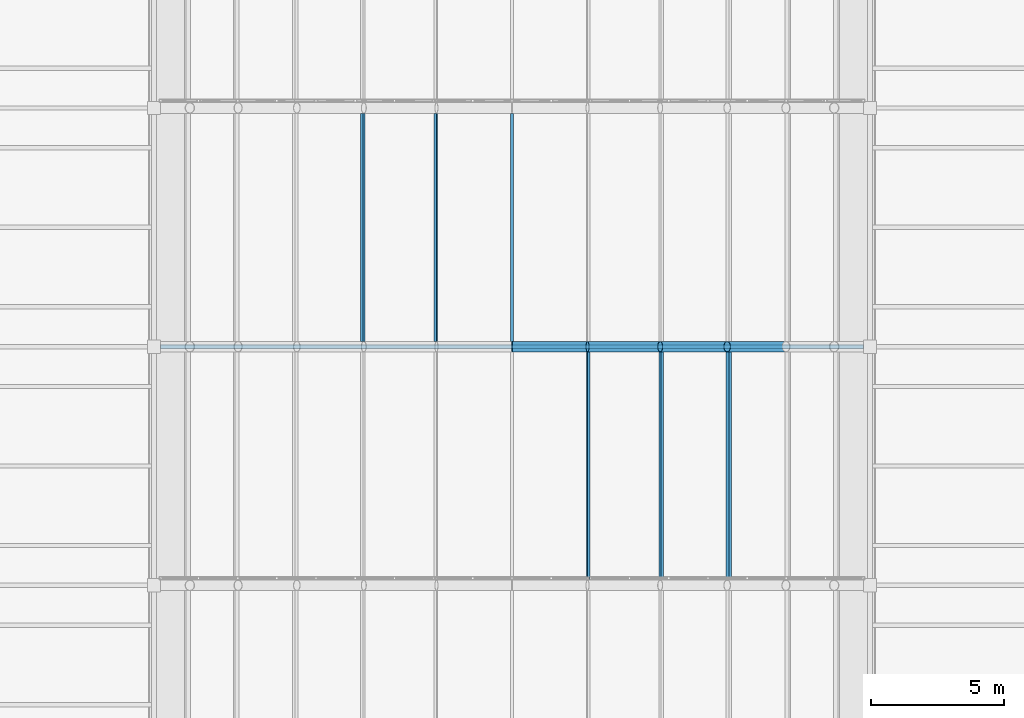
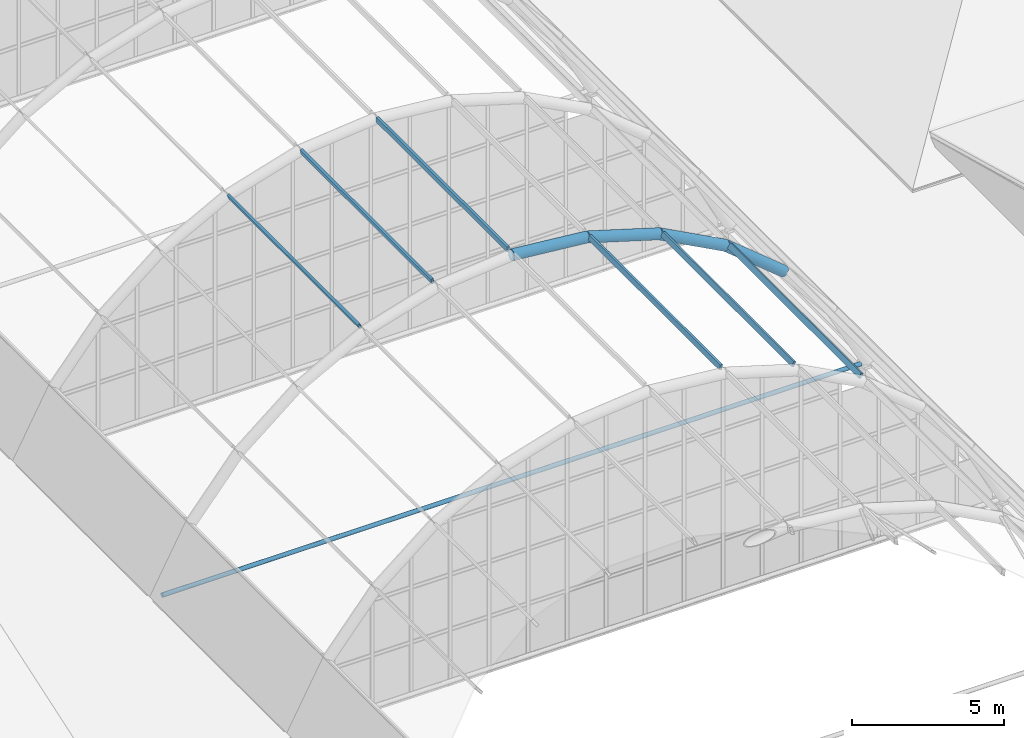
# One storey, part 34 of 121: 11 members.
"""IFC4 building model written with IfcOpenShell, lengths in metres."""

from ifc_helpers import new_model, si_unit, direction, frame, origin, origin_2d, place, context, subcontext, project, spatial, hollow_rectangle, hollow_circle, extrude, material, material_profile, profile_set, type_object, element, save


model = new_model("IFC4")

# Units and contexts
model_context = context("Model", 3, precision=1e-05, world=origin(), true_north=direction((0.0, 1.0)))
body_context = subcontext(model_context, "Body", "Model", "MODEL_VIEW")
ifc_project = project(units=[si_unit("LENGTHUNIT", "METRE"), si_unit("AREAUNIT", "SQUARE_METRE"), si_unit("VOLUMEUNIT", "CUBIC_METRE"), si_unit("PLANEANGLEUNIT", "RADIAN"), si_unit("MASSUNIT", "GRAM", prefix="KILO")], contexts=[model_context])

# Site, building, storey
site_placement = place(None, origin())
site = spatial("IfcSite", under=ifc_project, at=site_placement, CompositionType="ELEMENT")
building_placement = place(site_placement, origin())
building = spatial("IfcBuilding", under=site, at=building_placement, Name="Golden Quay Civic Hall", CompositionType="ELEMENT")
storey_placement = place(building_placement, frame((0.0, 0.0, 18.60009765625)))
storey = spatial("IfcBuildingStorey", under=building, at=storey_placement, Name="L04", CompositionType="ELEMENT", Elevation=18.60009765625)

# Members
ifc_material_1 = material(Name="Steel S355", Category="steel")
ifc_material_profile_1 = material_profile(ifc_material_1, hollow_circle(Radius=0.203125, WallThickness=0.01611328125, at=origin_2d()), Name="CHS 406.4x16")
ifc_profile_set_1 = profile_set([ifc_material_profile_1], Name="Steel S355")
member_type_1 = type_object("IfcMemberType", Name="Steel arch rib CHS 406.4x16", PredefinedType="USERDEFINED", material=ifc_profile_set_1)
member_1_placement = place(storey_placement, frame((85.5, 27.0, 9.099853515625), z_axis=(0.995201360973, 0.0, -0.097848102266), x_axis=(0.0, 1.0, 0.0)))
element("IfcMember", 1, at=member_1_placement, inside=storey, type_object=member_type_1, Name="Arch rib 4 segment 7", ObjectType="ARCH RIB", PredefinedType="USERDEFINED", context=body_context, shape_type="SweptSolid", body=[
    extrude(hollow_circle(Radius=0.203125, WallThickness=0.01611328125, at=origin_2d()), origin(), (0.0, 0.0, 1.0), 2.86181640625),
])
member_2_placement = place(storey_placement, frame((88.34814453125, 27.0, 8.81982421875), z_axis=(0.957095401463, 0.0, -0.289773001673), x_axis=(0.0, 1.0, 0.0)))
element("IfcMember", 2, at=member_2_placement, inside=storey, type_object=member_type_1, Name="Arch rib 4 segment 8", ObjectType="ARCH RIB", PredefinedType="USERDEFINED", context=body_context, shape_type="SweptSolid", body=[
    extrude(hollow_circle(Radius=0.203125, WallThickness=0.01611328125, at=origin_2d()), origin(), (0.0, 0.0, 1.0), 2.862060546875),
])
for number, where, z_axis, x_axis, name in (
    (3, (91.08740234375, 27.0, 7.990478515625), (0.882326964097, 0.0, -0.470636939082), (0.0, 1.0, 0.0), "Arch rib 4 segment 9"),
    (4, (93.612548828125, 27.0, 6.6435546875), (0.773786223221, 0.0, -0.633446825514), (0.0, 1.0, 0.0), "Arch rib 4 segment 10"),
):
    element("IfcMember", number, at=place(storey_placement, frame(where, z_axis=z_axis, x_axis=x_axis)), inside=storey, type_object=member_type_1, Name=name, ObjectType="ARCH RIB", PredefinedType="USERDEFINED", context=body_context, shape_type="SweptSolid", body=[
        extrude(hollow_circle(Radius=0.203125, WallThickness=0.01611328125, at=origin_2d()), origin(), (0.0, 0.0, 1.0), 2.86181640625),
    ])
ifc_material_2 = material(Name="Steel S355", Category="steel")
ifc_material_profile_2 = material_profile(ifc_material_2, hollow_rectangle(XDim=0.10009765625, YDim=0.199951171875, WallThickness=0.008056640625, at=origin_2d()), Name="RHS 200x100x8")
ifc_profile_set_2 = profile_set([ifc_material_profile_2], Name="Steel S355")
member_type_2 = type_object("IfcMemberType", Name="Steel purlin RHS 200x100x8", PredefinedType="PURLIN", material=ifc_profile_set_2)
for number, where, z_axis, x_axis, name in (
    (5, (88.368408203125, 18.203125, 8.921142578125), (0.0, 1.0, 0.0), (-0.98085324351, 0.0, 0.194748336824), "Purlin 3.8"),
    (6, (91.126708984375, 18.203125, 8.0859375), (0.0, 1.0, 0.0), (-0.924146170615, 0.0, 0.382039075668), "Purlin 3.9"),
    (7, (93.669677734375, 18.203125, 6.7294921875), (0.0, 1.0, 0.0), (-0.832050294338, 0.0, 0.554700196226), "Purlin 3.10"),
    (8, (79.873291015625, 27.203125, 8.0859375), (0.0, 1.0, 0.0), (-0.924146170615, 0.0, -0.382039075668), "Purlin 4.5"),
    (9, (82.631591796875, 27.203125, 8.921142578125), (0.0, 1.0, 0.0), (-0.98085324351, 0.0, -0.194748336824), "Purlin 4.6"),
    (10, (85.5, 27.203125, 9.203125), (0.0, 1.0, 0.0), (-1.0, 0.0, 0.0), "Purlin 4.7"),
):
    element("IfcMember", number, at=place(storey_placement, frame(where, z_axis=z_axis, x_axis=x_axis)), inside=storey, type_object=member_type_2, Name=name, PredefinedType="PURLIN", context=body_context, shape_type="SweptSolid", body=[
        extrude(hollow_rectangle(XDim=0.10009765625, YDim=0.199951171875, WallThickness=0.008056640625, at=origin_2d()), origin(), (0.0, 0.0, 1.0), 8.59375),
    ])
ifc_material_3 = material(Name="Steel S355", Category="steel")
ifc_material_profile_3 = material_profile(ifc_material_3, hollow_circle(Radius=0.084228515625, WallThickness=0.008056640625, at=origin_2d()), Name="CHS 168.3x8")
ifc_profile_set_3 = profile_set([ifc_material_profile_3], Name="Steel S355")
member_type_3 = type_object("IfcMemberType", Name="Steel tie rod CHS 168.3x8", PredefinedType="USERDEFINED", material=ifc_profile_set_3)
member_3_placement = place(storey_placement, frame((72.25, 27.0, 0.099853515625), z_axis=(1.0, 0.0, 0.0), x_axis=(0.0, 1.0, 0.0)))
element("IfcMember", 11, at=member_3_placement, inside=storey, type_object=member_type_3, Name="Springing tie 4", ObjectType="TIE ROD", PredefinedType="USERDEFINED", context=body_context, shape_type="SweptSolid", body=[
    extrude(hollow_circle(Radius=0.084228515625, WallThickness=0.008056640625, at=origin_2d()), origin(), (0.0, 0.0, 1.0), 26.5),
])

save(model, "model.ifc")
